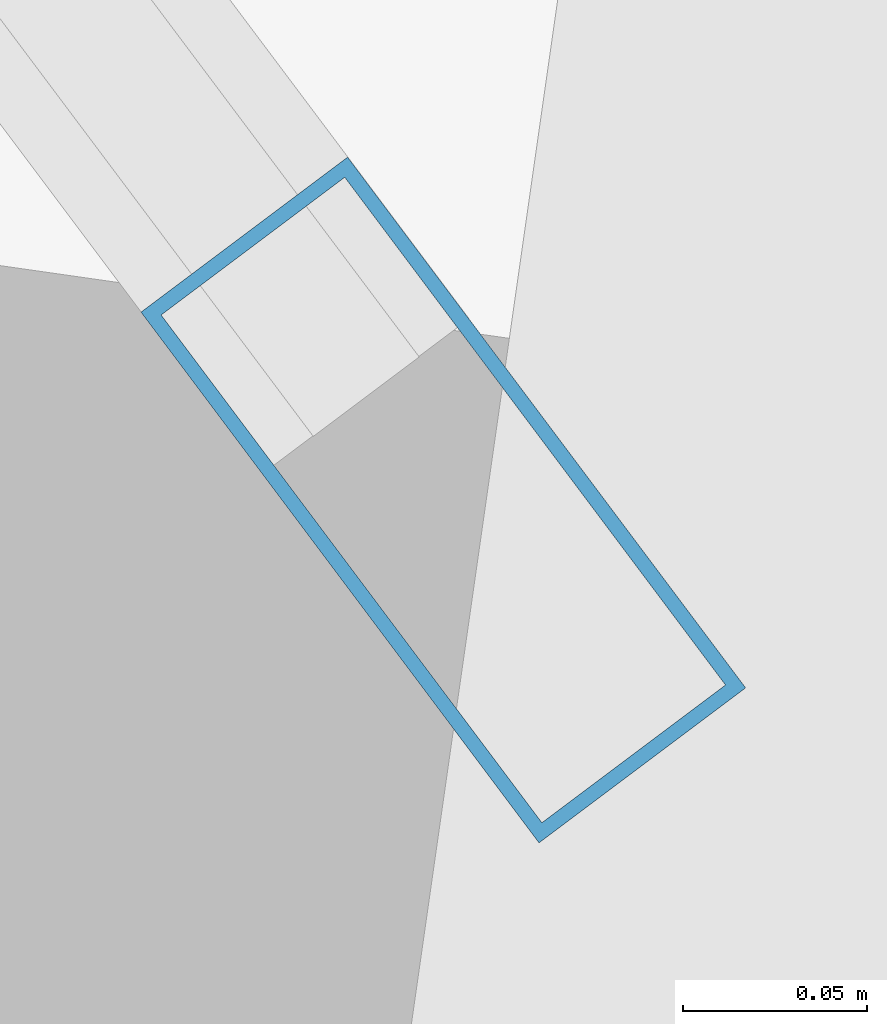
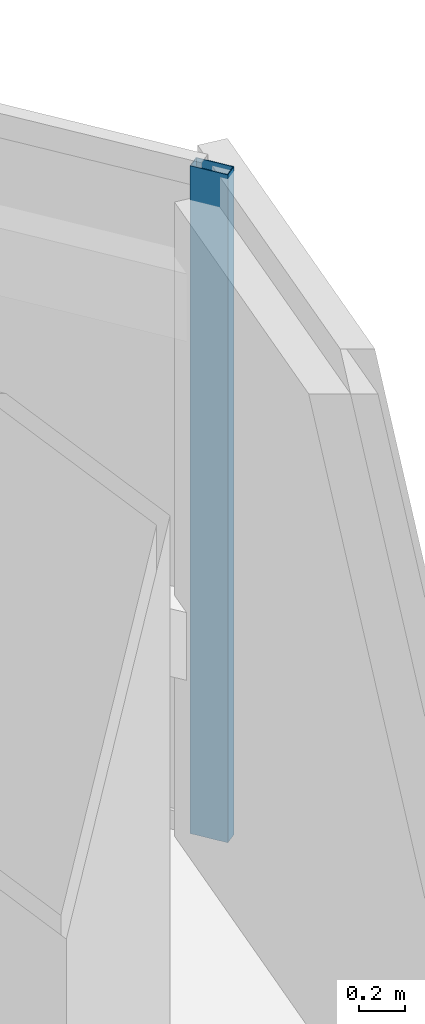
# One storey, part 29 of 46: 1 member, 1 element without a shape of its own.
"""IFC4 building model written with IfcOpenShell, lengths in metres."""

from ifc_helpers import new_model, si_unit, direction, frame, origin, origin_2d, place, context, subcontext, project, spatial, hollow_rectangle, extrude, material, material_profile, profile_set, type_object, element, aggregate, save


model = new_model("IFC4")

# Units and contexts
model_context = context("Model", 3, precision=1e-05, world=origin(), true_north=direction((0.0, 1.0)))
body_context = subcontext(model_context, "Body", "Model", "MODEL_VIEW")
ifc_project = project(units=[si_unit("LENGTHUNIT", "METRE"), si_unit("AREAUNIT", "SQUARE_METRE"), si_unit("VOLUMEUNIT", "CUBIC_METRE"), si_unit("PLANEANGLEUNIT", "RADIAN"), si_unit("MASSUNIT", "GRAM", prefix="KILO")], contexts=[model_context])

# Site, building, storey
site_placement = place(None, origin())
site = spatial("IfcSite", under=ifc_project, at=site_placement, CompositionType="ELEMENT")
building_placement = place(site_placement, origin())
building = spatial("IfcBuilding", under=site, at=building_placement, Name="Tashvorn Skyway Center", CompositionType="ELEMENT")
storey_placement = place(building_placement, frame((0.0, 0.0, 167.64990234375)))
storey = spatial("IfcBuildingStorey", under=building, at=storey_placement, Name="L45", CompositionType="ELEMENT", Elevation=167.64990234375)

# Curtain wall, member
ifc_material = material(Name="Thermally broken bronze-anodized aluminium 6063-T6", Category="aluminium")
curtain_wall_type = type_object("IfcCurtainWallType", Name="CW-CW-Z4", PredefinedType="NOTDEFINED", material=ifc_material)
curtain_wall_placement = place(storey_placement, origin())
curtain_wall = element("IfcCurtainWall", 1, at=curtain_wall_placement, inside=storey, type_object=curtain_wall_type, Name="Tower 2 L45 East Unitised Curtain Wall Glazing Group 5", PredefinedType="NOTDEFINED")
ifc_material_profile = material_profile(ifc_material, hollow_rectangle(XDim=0.070068359375, YDim=0.179931640625, WallThickness=0.00390625, at=origin_2d()), Name="ALU-MULL-70x180")
ifc_profile_set = profile_set([ifc_material_profile], Name="Thermally broken bronze-anodized aluminium 6063-T6")
member_type = type_object("IfcMemberType", Name="CWM-CW-Z4", PredefinedType="MULLION", material=ifc_profile_set)
member_placement = place(storey_placement, frame((136.15087890625, 30.431884765625, 0.0), z_axis=(0.0, 0.0, 1.0), x_axis=(0.799999999998, 0.600000000002, 0.0)))
member = element("IfcMember", 2, at=member_placement, type_object=member_type, Name="CW-Z4 mullion 2", PredefinedType="MULLION", context=body_context, shape_type="SweptSolid", body=[
    extrude(hollow_rectangle(XDim=0.070068359375, YDim=0.179931640625, WallThickness=0.00390625, at=origin_2d()), origin(), (0.0, 0.0, 1.0), 3.550048828125),
])
aggregate(curtain_wall, [member])

save(model, "model.ifc")
